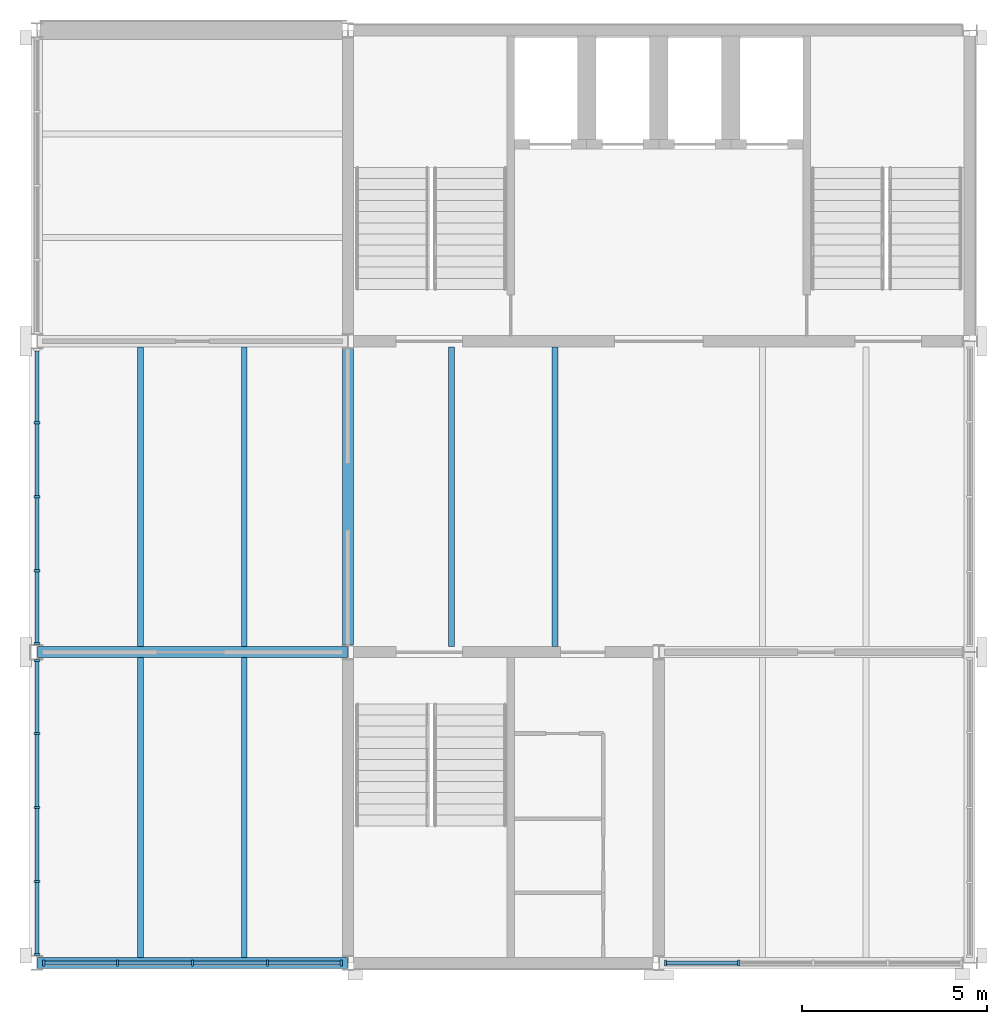
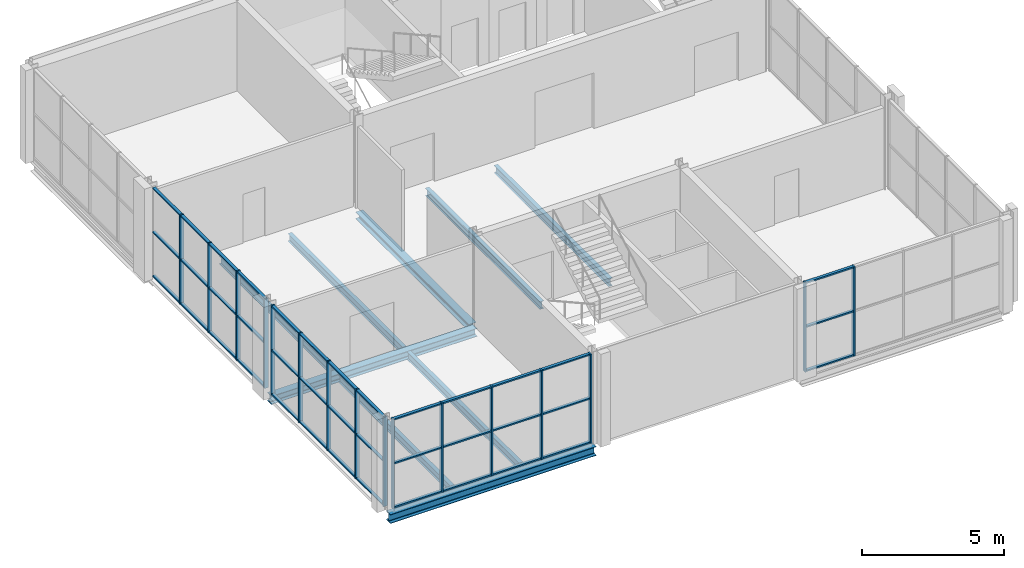
# One storey, part 2 of 8: 55 members, 9 beams, 4 elements without a shape of their own.
"""IFC4 building model written with IfcOpenShell, lengths in metres."""

from ifc_helpers import new_model, si_unit, direction, frame, origin, origin_2d, place, context, subcontext, project, spatial, rectangle, i_section, extrude, material, layer, layer_set, material_profile, profile_set, type_object, element, aggregate, save


model = new_model("IFC4")

# Units and contexts
model_context = context("Model", 3, precision=1e-05, world=origin(), true_north=direction((0.0, 1.0)))
body_context = subcontext(model_context, "Body", "Model", "MODEL_VIEW")
ifc_project = project(units=[si_unit("LENGTHUNIT", "METRE"), si_unit("AREAUNIT", "SQUARE_METRE"), si_unit("VOLUMEUNIT", "CUBIC_METRE"), si_unit("PLANEANGLEUNIT", "RADIAN"), si_unit("MASSUNIT", "GRAM", prefix="KILO")], contexts=[model_context])

# Site, building, storey
site_placement = place(None, origin())
site = spatial("IfcSite", under=ifc_project, at=site_placement, CompositionType="ELEMENT")
building_placement = place(site_placement, origin())
building = spatial("IfcBuilding", under=site, at=building_placement, Name="Galleria Vessillo Department Store", CompositionType="ELEMENT")
storey_placement = place(building_placement, frame((0.0, 0.0, 51.60009765625)))
storey = spatial("IfcBuildingStorey", under=building, at=storey_placement, Name="L11", CompositionType="ELEMENT", Elevation=51.60009765625)

# Curtain wall, members
ifc_material_1 = material(Name="Aluminium and glass curtain wall", Category="aluminium")
ifc_layer = layer(ifc_material_1, 0.159912109375)
ifc_layer_set = layer_set([ifc_layer], Name="Aluminium and glass curtain wall")
curtain_wall_type = type_object("IfcCurtainWallType", Name="Tower curtain wall CW4 2100 module", PredefinedType="NOTDEFINED", material=ifc_layer_set)
curtain_wall_1_placement = place(storey_placement, origin())
curtain_wall_1 = element("IfcCurtainWall", 1, at=curtain_wall_1_placement, inside=storey, type_object=curtain_wall_type, Name="Tower curtain wall CW4 2100 module TW-L11-01", PredefinedType="NOTDEFINED")
ifc_material_2 = material(Name="Aluminium alloy 6063 T6", Category="aluminium")
ifc_material_profile_1 = material_profile(ifc_material_2, rectangle(XDim=0.159912109375, YDim=0.06005859375, at=origin_2d()), Name="AL 60x160")
ifc_profile_set_1 = profile_set([ifc_material_profile_1], Name="Aluminium alloy 6063 T6")
member_type_1 = type_object("IfcMemberType", Name="Aluminium mullion 60 x 160", PredefinedType="MULLION", material=ifc_profile_set_1)
member_1_placement = place(storey_placement, frame((92.39990234375, 38.030029296875, 0.0), z_axis=(0.0, 0.0, 1.0), x_axis=(-1.0, 0.0, 0.0)))
member_1 = element("IfcMember", 2, at=member_1_placement, type_object=member_type_1, Name="CW4 mullion 1", PredefinedType="MULLION", context=body_context, shape_type="SweptSolid", body=[
    extrude(rectangle(XDim=0.159912109375, YDim=0.06005859375, at=origin_2d()), origin(), (0.0, 0.0, 1.0), 3.85009765625),
])
member_2_placement = place(storey_placement, frame((92.39990234375, 40.0, 0.0), z_axis=(0.0, 0.0, 1.0), x_axis=(-1.0, 0.0, 0.0)))
member_2 = element("IfcMember", 3, at=member_2_placement, type_object=member_type_1, Name="CW4 mullion 2", PredefinedType="MULLION", context=body_context, shape_type="SweptSolid", body=[
    extrude(rectangle(XDim=0.159912109375, YDim=0.06005859375, at=origin_2d()), origin(), (0.0, 0.0, 1.0), 3.85009765625),
])
member_3_placement = place(storey_placement, frame((92.39990234375, 42.0, 0.0), z_axis=(0.0, 0.0, 1.0), x_axis=(-1.0, 0.0, 0.0)))
member_3 = element("IfcMember", 4, at=member_3_placement, type_object=member_type_1, Name="CW4 mullion 3", PredefinedType="MULLION", context=body_context, shape_type="SweptSolid", body=[
    extrude(rectangle(XDim=0.159912109375, YDim=0.06005859375, at=origin_2d()), origin(), (0.0, 0.0, 1.0), 3.85009765625),
])
member_4_placement = place(storey_placement, frame((92.39990234375, 44.0, 0.0), z_axis=(0.0, 0.0, 1.0), x_axis=(-1.0, 0.0, 0.0)))
member_4 = element("IfcMember", 5, at=member_4_placement, type_object=member_type_1, Name="CW4 mullion 4", PredefinedType="MULLION", context=body_context, shape_type="SweptSolid", body=[
    extrude(rectangle(XDim=0.159912109375, YDim=0.06005859375, at=origin_2d()), origin(), (0.0, 0.0, 1.0), 3.85009765625),
])
member_5_placement = place(storey_placement, frame((92.39990234375, 45.969970703125, 0.0), z_axis=(0.0, 0.0, 1.0), x_axis=(-1.0, 0.0, 0.0)))
member_5 = element("IfcMember", 6, at=member_5_placement, type_object=member_type_1, Name="CW4 mullion 5", PredefinedType="MULLION", context=body_context, shape_type="SweptSolid", body=[
    extrude(rectangle(XDim=0.159912109375, YDim=0.06005859375, at=origin_2d()), origin(), (0.0, 0.0, 1.0), 3.85009765625),
])

curtain_wall_2_placement = place(storey_placement, origin())
curtain_wall_2 = element("IfcCurtainWall", 7, at=curtain_wall_2_placement, inside=storey, type_object=curtain_wall_type, Name="Tower curtain wall CW4 2100 module TW-L11-02", PredefinedType="NOTDEFINED")
member_6_placement = place(storey_placement, frame((92.39990234375, 46.429931640625, 0.0), z_axis=(0.0, 0.0, 1.0), x_axis=(-1.0, 0.0, 0.0)))
member_6 = element("IfcMember", 8, at=member_6_placement, type_object=member_type_1, Name="CW4 mullion 1", PredefinedType="MULLION", context=body_context, shape_type="SweptSolid", body=[
    extrude(rectangle(XDim=0.159912109375, YDim=0.06005859375, at=origin_2d()), origin(), (0.0, 0.0, 1.0), 3.85009765625),
])
member_7_placement = place(storey_placement, frame((92.39990234375, 48.39990234375, 0.0), z_axis=(0.0, 0.0, 1.0), x_axis=(-1.0, 0.0, 0.0)))
member_7 = element("IfcMember", 9, at=member_7_placement, type_object=member_type_1, Name="CW4 mullion 2", PredefinedType="MULLION", context=body_context, shape_type="SweptSolid", body=[
    extrude(rectangle(XDim=0.159912109375, YDim=0.06005859375, at=origin_2d()), origin(), (0.0, 0.0, 1.0), 3.85009765625),
])
member_8_placement = place(storey_placement, frame((92.39990234375, 50.39990234375, 0.0), z_axis=(0.0, 0.0, 1.0), x_axis=(-1.0, 0.0, 0.0)))
member_8 = element("IfcMember", 10, at=member_8_placement, type_object=member_type_1, Name="CW4 mullion 3", PredefinedType="MULLION", context=body_context, shape_type="SweptSolid", body=[
    extrude(rectangle(XDim=0.159912109375, YDim=0.06005859375, at=origin_2d()), origin(), (0.0, 0.0, 1.0), 3.85009765625),
])
member_9_placement = place(storey_placement, frame((92.39990234375, 52.400146484375, 0.0), z_axis=(0.0, 0.0, 1.0), x_axis=(-1.0, 0.0, 0.0)))
member_9 = element("IfcMember", 11, at=member_9_placement, type_object=member_type_1, Name="CW4 mullion 4", PredefinedType="MULLION", context=body_context, shape_type="SweptSolid", body=[
    extrude(rectangle(XDim=0.159912109375, YDim=0.06005859375, at=origin_2d()), origin(), (0.0, 0.0, 1.0), 3.85009765625),
])

curtain_wall_3_placement = place(storey_placement, origin())
curtain_wall_3 = element("IfcCurtainWall", 12, at=curtain_wall_3_placement, inside=storey, type_object=curtain_wall_type, Name="Tower curtain wall CW4 2100 module TS-L11-01", PredefinedType="NOTDEFINED")
member_10_placement = place(storey_placement, frame((92.579833984375, 37.800048828125, 0.0), z_axis=(0.0, 0.0, 1.0), x_axis=(0.0, 1.0, 0.0)))
member_10 = element("IfcMember", 13, at=member_10_placement, type_object=member_type_1, Name="CW4 mullion 1", PredefinedType="MULLION", context=body_context, shape_type="SweptSolid", body=[
    extrude(rectangle(XDim=0.159912109375, YDim=0.06005859375, at=origin_2d()), origin(), (0.0, 0.0, 1.0), 3.85009765625),
])
member_11_placement = place(storey_placement, frame((94.574951171875, 37.800048828125, 0.0), z_axis=(0.0, 0.0, 1.0), x_axis=(0.0, 1.0, 0.0)))
member_11 = element("IfcMember", 14, at=member_11_placement, type_object=member_type_1, Name="CW4 mullion 2", PredefinedType="MULLION", context=body_context, shape_type="SweptSolid", body=[
    extrude(rectangle(XDim=0.159912109375, YDim=0.06005859375, at=origin_2d()), origin(), (0.0, 0.0, 1.0), 3.85009765625),
])
member_12_placement = place(storey_placement, frame((96.60009765625, 37.800048828125, 0.0), z_axis=(0.0, 0.0, 1.0), x_axis=(0.0, 1.0, 0.0)))
member_12 = element("IfcMember", 15, at=member_12_placement, type_object=member_type_1, Name="CW4 mullion 3", PredefinedType="MULLION", context=body_context, shape_type="SweptSolid", body=[
    extrude(rectangle(XDim=0.159912109375, YDim=0.06005859375, at=origin_2d()), origin(), (0.0, 0.0, 1.0), 3.85009765625),
])
member_13_placement = place(storey_placement, frame((98.625, 37.800048828125, 0.0), z_axis=(0.0, 0.0, 1.0), x_axis=(0.0, 1.0, 0.0)))
member_13 = element("IfcMember", 16, at=member_13_placement, type_object=member_type_1, Name="CW4 mullion 4", PredefinedType="MULLION", context=body_context, shape_type="SweptSolid", body=[
    extrude(rectangle(XDim=0.159912109375, YDim=0.06005859375, at=origin_2d()), origin(), (0.0, 0.0, 1.0), 3.85009765625),
])
member_14_placement = place(storey_placement, frame((100.6201171875, 37.800048828125, 0.0), z_axis=(0.0, 0.0, 1.0), x_axis=(0.0, 1.0, 0.0)))
member_14 = element("IfcMember", 17, at=member_14_placement, type_object=member_type_1, Name="CW4 mullion 5", PredefinedType="MULLION", context=body_context, shape_type="SweptSolid", body=[
    extrude(rectangle(XDim=0.159912109375, YDim=0.06005859375, at=origin_2d()), origin(), (0.0, 0.0, 1.0), 3.85009765625),
])

curtain_wall_4_placement = place(storey_placement, origin())
curtain_wall_4 = element("IfcCurtainWall", 18, at=curtain_wall_4_placement, inside=storey, type_object=curtain_wall_type, Name="Tower curtain wall CW4 2100 module TS-L11-02", PredefinedType="NOTDEFINED")
member_15_placement = place(storey_placement, frame((109.3798828125, 37.800048828125, 0.0), z_axis=(0.0, 0.0, 1.0), x_axis=(0.0, 1.0, 0.0)))
member_15 = element("IfcMember", 19, at=member_15_placement, type_object=member_type_1, Name="CW4 mullion 1", PredefinedType="MULLION", context=body_context, shape_type="SweptSolid", body=[
    extrude(rectangle(XDim=0.159912109375, YDim=0.06005859375, at=origin_2d()), origin(), (0.0, 0.0, 1.0), 3.85009765625),
])
member_16_placement = place(storey_placement, frame((111.362548828125, 37.800048828125, 0.0), z_axis=(0.0, 0.0, 1.0), x_axis=(0.0, 1.0, 0.0)))
member_16 = element("IfcMember", 20, at=member_16_placement, type_object=member_type_1, Name="CW4 mullion 2", PredefinedType="MULLION", context=body_context, shape_type="SweptSolid", body=[
    extrude(rectangle(XDim=0.159912109375, YDim=0.06005859375, at=origin_2d()), origin(), (0.0, 0.0, 1.0), 3.85009765625),
])

# Member
ifc_material_3 = material(Name="Aluminium alloy 6063 T6", Category="aluminium")
ifc_material_profile_2 = material_profile(ifc_material_3, rectangle(XDim=0.1201171875, YDim=0.06005859375, at=origin_2d()), Name="AL 60x120")
ifc_profile_set_2 = profile_set([ifc_material_profile_2], Name="Aluminium alloy 6063 T6")
member_type_2 = type_object("IfcMemberType", Name="Aluminium transom 60 x 120", PredefinedType="USERDEFINED", material=ifc_profile_set_2)
member_17_placement = place(storey_placement, frame((92.39990234375, 38.06005859375, 0.030029296875), z_axis=(0.0, 1.0, 0.0), x_axis=(-1.0, 0.0, 0.0)))
member_17 = element("IfcMember", 21, at=member_17_placement, type_object=member_type_2, Name="CW4 transom 1.1", ObjectType="TRANSOM", PredefinedType="USERDEFINED", context=body_context, shape_type="SweptSolid", body=[
    extrude(rectangle(XDim=0.1201171875, YDim=0.06005859375, at=origin_2d()), origin(), (0.0, 0.0, 1.0), 1.909912109375),
])

member_18_placement = place(storey_placement, frame((92.39990234375, 38.06005859375, 1.925048828125), z_axis=(0.0, 1.0, 0.0), x_axis=(-1.0, 0.0, 0.0)))
member_18 = element("IfcMember", 22, at=member_18_placement, type_object=member_type_2, Name="CW4 transom 1.2", ObjectType="TRANSOM", PredefinedType="USERDEFINED", context=body_context, shape_type="SweptSolid", body=[
    extrude(rectangle(XDim=0.1201171875, YDim=0.06005859375, at=origin_2d()), origin(), (0.0, 0.0, 1.0), 1.909912109375),
])

member_19_placement = place(storey_placement, frame((92.39990234375, 38.06005859375, 3.820068359375), z_axis=(0.0, 1.0, 0.0), x_axis=(-1.0, 0.0, 0.0)))
member_19 = element("IfcMember", 23, at=member_19_placement, type_object=member_type_2, Name="CW4 transom 1.3", ObjectType="TRANSOM", PredefinedType="USERDEFINED", context=body_context, shape_type="SweptSolid", body=[
    extrude(rectangle(XDim=0.1201171875, YDim=0.06005859375, at=origin_2d()), origin(), (0.0, 0.0, 1.0), 1.909912109375),
])

member_20_placement = place(storey_placement, frame((92.39990234375, 40.030029296875, 0.030029296875), z_axis=(0.0, 1.0, 0.0), x_axis=(-1.0, 0.0, 0.0)))
member_20 = element("IfcMember", 24, at=member_20_placement, type_object=member_type_2, Name="CW4 transom 2.1", ObjectType="TRANSOM", PredefinedType="USERDEFINED", context=body_context, shape_type="SweptSolid", body=[
    extrude(rectangle(XDim=0.1201171875, YDim=0.06005859375, at=origin_2d()), origin(), (0.0, 0.0, 1.0), 1.93994140625),
])

member_21_placement = place(storey_placement, frame((92.39990234375, 40.030029296875, 1.925048828125), z_axis=(0.0, 1.0, 0.0), x_axis=(-1.0, 0.0, 0.0)))
member_21 = element("IfcMember", 25, at=member_21_placement, type_object=member_type_2, Name="CW4 transom 2.2", ObjectType="TRANSOM", PredefinedType="USERDEFINED", context=body_context, shape_type="SweptSolid", body=[
    extrude(rectangle(XDim=0.1201171875, YDim=0.06005859375, at=origin_2d()), origin(), (0.0, 0.0, 1.0), 1.93994140625),
])

member_22_placement = place(storey_placement, frame((92.39990234375, 40.030029296875, 3.820068359375), z_axis=(0.0, 1.0, 0.0), x_axis=(-1.0, 0.0, 0.0)))
member_22 = element("IfcMember", 26, at=member_22_placement, type_object=member_type_2, Name="CW4 transom 2.3", ObjectType="TRANSOM", PredefinedType="USERDEFINED", context=body_context, shape_type="SweptSolid", body=[
    extrude(rectangle(XDim=0.1201171875, YDim=0.06005859375, at=origin_2d()), origin(), (0.0, 0.0, 1.0), 1.93994140625),
])

member_23_placement = place(storey_placement, frame((92.39990234375, 42.030029296875, 0.030029296875), z_axis=(0.0, 1.0, 0.0), x_axis=(-1.0, 0.0, 0.0)))
member_23 = element("IfcMember", 27, at=member_23_placement, type_object=member_type_2, Name="CW4 transom 3.1", ObjectType="TRANSOM", PredefinedType="USERDEFINED", context=body_context, shape_type="SweptSolid", body=[
    extrude(rectangle(XDim=0.1201171875, YDim=0.06005859375, at=origin_2d()), origin(), (0.0, 0.0, 1.0), 1.93994140625),
])

member_24_placement = place(storey_placement, frame((92.39990234375, 42.030029296875, 1.925048828125), z_axis=(0.0, 1.0, 0.0), x_axis=(-1.0, 0.0, 0.0)))
member_24 = element("IfcMember", 28, at=member_24_placement, type_object=member_type_2, Name="CW4 transom 3.2", ObjectType="TRANSOM", PredefinedType="USERDEFINED", context=body_context, shape_type="SweptSolid", body=[
    extrude(rectangle(XDim=0.1201171875, YDim=0.06005859375, at=origin_2d()), origin(), (0.0, 0.0, 1.0), 1.93994140625),
])

member_25_placement = place(storey_placement, frame((92.39990234375, 42.030029296875, 3.820068359375), z_axis=(0.0, 1.0, 0.0), x_axis=(-1.0, 0.0, 0.0)))
member_25 = element("IfcMember", 29, at=member_25_placement, type_object=member_type_2, Name="CW4 transom 3.3", ObjectType="TRANSOM", PredefinedType="USERDEFINED", context=body_context, shape_type="SweptSolid", body=[
    extrude(rectangle(XDim=0.1201171875, YDim=0.06005859375, at=origin_2d()), origin(), (0.0, 0.0, 1.0), 1.93994140625),
])

member_26_placement = place(storey_placement, frame((92.39990234375, 44.030029296875, 0.030029296875), z_axis=(0.0, 1.0, 0.0), x_axis=(-1.0, 0.0, 0.0)))
member_26 = element("IfcMember", 30, at=member_26_placement, type_object=member_type_2, Name="CW4 transom 4.1", ObjectType="TRANSOM", PredefinedType="USERDEFINED", context=body_context, shape_type="SweptSolid", body=[
    extrude(rectangle(XDim=0.1201171875, YDim=0.06005859375, at=origin_2d()), origin(), (0.0, 0.0, 1.0), 1.909912109375),
])

member_27_placement = place(storey_placement, frame((92.39990234375, 44.030029296875, 1.925048828125), z_axis=(0.0, 1.0, 0.0), x_axis=(-1.0, 0.0, 0.0)))
member_27 = element("IfcMember", 31, at=member_27_placement, type_object=member_type_2, Name="CW4 transom 4.2", ObjectType="TRANSOM", PredefinedType="USERDEFINED", context=body_context, shape_type="SweptSolid", body=[
    extrude(rectangle(XDim=0.1201171875, YDim=0.06005859375, at=origin_2d()), origin(), (0.0, 0.0, 1.0), 1.909912109375),
])

member_28_placement = place(storey_placement, frame((92.39990234375, 44.030029296875, 3.820068359375), z_axis=(0.0, 1.0, 0.0), x_axis=(-1.0, 0.0, 0.0)))
member_28 = element("IfcMember", 32, at=member_28_placement, type_object=member_type_2, Name="CW4 transom 4.3", ObjectType="TRANSOM", PredefinedType="USERDEFINED", context=body_context, shape_type="SweptSolid", body=[
    extrude(rectangle(XDim=0.1201171875, YDim=0.06005859375, at=origin_2d()), origin(), (0.0, 0.0, 1.0), 1.909912109375),
])

aggregate(curtain_wall_1, [member_1, member_2, member_3, member_4, member_5, member_17, member_18, member_19, member_20, member_21, member_22, member_23, member_24, member_25, member_26, member_27, member_28])

member_29_placement = place(storey_placement, frame((92.39990234375, 46.4599609375, 0.030029296875), z_axis=(0.0, 1.0, 0.0), x_axis=(-1.0, 0.0, 0.0)))
member_29 = element("IfcMember", 33, at=member_29_placement, type_object=member_type_2, Name="CW4 transom 1.1", ObjectType="TRANSOM", PredefinedType="USERDEFINED", context=body_context, shape_type="SweptSolid", body=[
    extrude(rectangle(XDim=0.1201171875, YDim=0.06005859375, at=origin_2d()), origin(), (0.0, 0.0, 1.0), 1.909912109375),
])

member_30_placement = place(storey_placement, frame((92.39990234375, 46.4599609375, 1.925048828125), z_axis=(0.0, 1.0, 0.0), x_axis=(-1.0, 0.0, 0.0)))
member_30 = element("IfcMember", 34, at=member_30_placement, type_object=member_type_2, Name="CW4 transom 1.2", ObjectType="TRANSOM", PredefinedType="USERDEFINED", context=body_context, shape_type="SweptSolid", body=[
    extrude(rectangle(XDim=0.1201171875, YDim=0.06005859375, at=origin_2d()), origin(), (0.0, 0.0, 1.0), 1.909912109375),
])

member_31_placement = place(storey_placement, frame((92.39990234375, 46.4599609375, 3.820068359375), z_axis=(0.0, 1.0, 0.0), x_axis=(-1.0, 0.0, 0.0)))
member_31 = element("IfcMember", 35, at=member_31_placement, type_object=member_type_2, Name="CW4 transom 1.3", ObjectType="TRANSOM", PredefinedType="USERDEFINED", context=body_context, shape_type="SweptSolid", body=[
    extrude(rectangle(XDim=0.1201171875, YDim=0.06005859375, at=origin_2d()), origin(), (0.0, 0.0, 1.0), 1.909912109375),
])

member_32_placement = place(storey_placement, frame((92.39990234375, 48.429931640625, 0.030029296875), z_axis=(0.0, 1.0, 0.0), x_axis=(-1.0, 0.0, 0.0)))
member_32 = element("IfcMember", 36, at=member_32_placement, type_object=member_type_2, Name="CW4 transom 2.1", ObjectType="TRANSOM", PredefinedType="USERDEFINED", context=body_context, shape_type="SweptSolid", body=[
    extrude(rectangle(XDim=0.1201171875, YDim=0.06005859375, at=origin_2d()), origin(), (0.0, 0.0, 1.0), 1.940185546875),
])

member_33_placement = place(storey_placement, frame((92.39990234375, 48.429931640625, 1.925048828125), z_axis=(0.0, 1.0, 0.0), x_axis=(-1.0, 0.0, 0.0)))
member_33 = element("IfcMember", 37, at=member_33_placement, type_object=member_type_2, Name="CW4 transom 2.2", ObjectType="TRANSOM", PredefinedType="USERDEFINED", context=body_context, shape_type="SweptSolid", body=[
    extrude(rectangle(XDim=0.1201171875, YDim=0.06005859375, at=origin_2d()), origin(), (0.0, 0.0, 1.0), 1.940185546875),
])

member_34_placement = place(storey_placement, frame((92.39990234375, 48.429931640625, 3.820068359375), z_axis=(0.0, 1.0, 0.0), x_axis=(-1.0, 0.0, 0.0)))
member_34 = element("IfcMember", 38, at=member_34_placement, type_object=member_type_2, Name="CW4 transom 2.3", ObjectType="TRANSOM", PredefinedType="USERDEFINED", context=body_context, shape_type="SweptSolid", body=[
    extrude(rectangle(XDim=0.1201171875, YDim=0.06005859375, at=origin_2d()), origin(), (0.0, 0.0, 1.0), 1.940185546875),
])

member_35_placement = place(storey_placement, frame((92.39990234375, 50.429931640625, 0.030029296875), z_axis=(0.0, 1.0, 0.0), x_axis=(-1.0, 0.0, 0.0)))
member_35 = element("IfcMember", 39, at=member_35_placement, type_object=member_type_2, Name="CW4 transom 3.1", ObjectType="TRANSOM", PredefinedType="USERDEFINED", context=body_context, shape_type="SweptSolid", body=[
    extrude(rectangle(XDim=0.1201171875, YDim=0.06005859375, at=origin_2d()), origin(), (0.0, 0.0, 1.0), 1.940185546875),
])

member_36_placement = place(storey_placement, frame((92.39990234375, 50.429931640625, 1.925048828125), z_axis=(0.0, 1.0, 0.0), x_axis=(-1.0, 0.0, 0.0)))
member_36 = element("IfcMember", 40, at=member_36_placement, type_object=member_type_2, Name="CW4 transom 3.2", ObjectType="TRANSOM", PredefinedType="USERDEFINED", context=body_context, shape_type="SweptSolid", body=[
    extrude(rectangle(XDim=0.1201171875, YDim=0.06005859375, at=origin_2d()), origin(), (0.0, 0.0, 1.0), 1.940185546875),
])

member_37_placement = place(storey_placement, frame((92.39990234375, 50.429931640625, 3.820068359375), z_axis=(0.0, 1.0, 0.0), x_axis=(-1.0, 0.0, 0.0)))
member_37 = element("IfcMember", 41, at=member_37_placement, type_object=member_type_2, Name="CW4 transom 3.3", ObjectType="TRANSOM", PredefinedType="USERDEFINED", context=body_context, shape_type="SweptSolid", body=[
    extrude(rectangle(XDim=0.1201171875, YDim=0.06005859375, at=origin_2d()), origin(), (0.0, 0.0, 1.0), 1.940185546875),
])

member_38_placement = place(storey_placement, frame((92.39990234375, 52.43017578125, 0.030029296875), z_axis=(0.0, 1.0, 0.0), x_axis=(-1.0, 0.0, 0.0)))
member_38 = element("IfcMember", 42, at=member_38_placement, type_object=member_type_2, Name="CW4 transom 4.1", ObjectType="TRANSOM", PredefinedType="USERDEFINED", context=body_context, shape_type="SweptSolid", body=[
    extrude(rectangle(XDim=0.1201171875, YDim=0.06005859375, at=origin_2d()), origin(), (0.0, 0.0, 1.0), 1.909912109375),
])

member_39_placement = place(storey_placement, frame((92.39990234375, 52.43017578125, 1.925048828125), z_axis=(0.0, 1.0, 0.0), x_axis=(-1.0, 0.0, 0.0)))
member_39 = element("IfcMember", 43, at=member_39_placement, type_object=member_type_2, Name="CW4 transom 4.2", ObjectType="TRANSOM", PredefinedType="USERDEFINED", context=body_context, shape_type="SweptSolid", body=[
    extrude(rectangle(XDim=0.1201171875, YDim=0.06005859375, at=origin_2d()), origin(), (0.0, 0.0, 1.0), 1.909912109375),
])

member_40_placement = place(storey_placement, frame((92.39990234375, 52.43017578125, 3.820068359375), z_axis=(0.0, 1.0, 0.0), x_axis=(-1.0, 0.0, 0.0)))
member_40 = element("IfcMember", 44, at=member_40_placement, type_object=member_type_2, Name="CW4 transom 4.3", ObjectType="TRANSOM", PredefinedType="USERDEFINED", context=body_context, shape_type="SweptSolid", body=[
    extrude(rectangle(XDim=0.1201171875, YDim=0.06005859375, at=origin_2d()), origin(), (0.0, 0.0, 1.0), 1.909912109375),
])

aggregate(curtain_wall_2, [member_6, member_7, member_8, member_9, member_29, member_30, member_31, member_32, member_33, member_34, member_35, member_36, member_37, member_38, member_39, member_40])

member_41_placement = place(storey_placement, frame((92.60986328125, 37.800048828125, 0.030029296875), z_axis=(1.0, 0.0, 0.0), x_axis=(0.0, 1.0, 0.0)))
member_41 = element("IfcMember", 45, at=member_41_placement, type_object=member_type_2, Name="CW4 transom 1.1", ObjectType="TRANSOM", PredefinedType="USERDEFINED", context=body_context, shape_type="SweptSolid", body=[
    extrude(rectangle(XDim=0.1201171875, YDim=0.06005859375, at=origin_2d()), origin(), (0.0, 0.0, 1.0), 1.93505859375),
])

member_42_placement = place(storey_placement, frame((92.60986328125, 37.800048828125, 1.925048828125), z_axis=(1.0, 0.0, 0.0), x_axis=(0.0, 1.0, 0.0)))
member_42 = element("IfcMember", 46, at=member_42_placement, type_object=member_type_2, Name="CW4 transom 1.2", ObjectType="TRANSOM", PredefinedType="USERDEFINED", context=body_context, shape_type="SweptSolid", body=[
    extrude(rectangle(XDim=0.1201171875, YDim=0.06005859375, at=origin_2d()), origin(), (0.0, 0.0, 1.0), 1.93505859375),
])

member_43_placement = place(storey_placement, frame((92.60986328125, 37.800048828125, 3.820068359375), z_axis=(1.0, 0.0, 0.0), x_axis=(0.0, 1.0, 0.0)))
member_43 = element("IfcMember", 47, at=member_43_placement, type_object=member_type_2, Name="CW4 transom 1.3", ObjectType="TRANSOM", PredefinedType="USERDEFINED", context=body_context, shape_type="SweptSolid", body=[
    extrude(rectangle(XDim=0.1201171875, YDim=0.06005859375, at=origin_2d()), origin(), (0.0, 0.0, 1.0), 1.93505859375),
])

member_44_placement = place(storey_placement, frame((94.60498046875, 37.800048828125, 0.030029296875), z_axis=(1.0, 0.0, 0.0), x_axis=(0.0, 1.0, 0.0)))
member_44 = element("IfcMember", 48, at=member_44_placement, type_object=member_type_2, Name="CW4 transom 2.1", ObjectType="TRANSOM", PredefinedType="USERDEFINED", context=body_context, shape_type="SweptSolid", body=[
    extrude(rectangle(XDim=0.1201171875, YDim=0.06005859375, at=origin_2d()), origin(), (0.0, 0.0, 1.0), 1.965087890625),
])

member_45_placement = place(storey_placement, frame((94.60498046875, 37.800048828125, 1.925048828125), z_axis=(1.0, 0.0, 0.0), x_axis=(0.0, 1.0, 0.0)))
member_45 = element("IfcMember", 49, at=member_45_placement, type_object=member_type_2, Name="CW4 transom 2.2", ObjectType="TRANSOM", PredefinedType="USERDEFINED", context=body_context, shape_type="SweptSolid", body=[
    extrude(rectangle(XDim=0.1201171875, YDim=0.06005859375, at=origin_2d()), origin(), (0.0, 0.0, 1.0), 1.965087890625),
])

member_46_placement = place(storey_placement, frame((94.60498046875, 37.800048828125, 3.820068359375), z_axis=(1.0, 0.0, 0.0), x_axis=(0.0, 1.0, 0.0)))
member_46 = element("IfcMember", 50, at=member_46_placement, type_object=member_type_2, Name="CW4 transom 2.3", ObjectType="TRANSOM", PredefinedType="USERDEFINED", context=body_context, shape_type="SweptSolid", body=[
    extrude(rectangle(XDim=0.1201171875, YDim=0.06005859375, at=origin_2d()), origin(), (0.0, 0.0, 1.0), 1.965087890625),
])

member_47_placement = place(storey_placement, frame((96.6298828125, 37.800048828125, 0.030029296875), z_axis=(1.0, 0.0, 0.0), x_axis=(0.0, 1.0, 0.0)))
member_47 = element("IfcMember", 51, at=member_47_placement, type_object=member_type_2, Name="CW4 transom 3.1", ObjectType="TRANSOM", PredefinedType="USERDEFINED", context=body_context, shape_type="SweptSolid", body=[
    extrude(rectangle(XDim=0.1201171875, YDim=0.06005859375, at=origin_2d()), origin(), (0.0, 0.0, 1.0), 1.965087890625),
])

member_48_placement = place(storey_placement, frame((96.6298828125, 37.800048828125, 1.925048828125), z_axis=(1.0, 0.0, 0.0), x_axis=(0.0, 1.0, 0.0)))
member_48 = element("IfcMember", 52, at=member_48_placement, type_object=member_type_2, Name="CW4 transom 3.2", ObjectType="TRANSOM", PredefinedType="USERDEFINED", context=body_context, shape_type="SweptSolid", body=[
    extrude(rectangle(XDim=0.1201171875, YDim=0.06005859375, at=origin_2d()), origin(), (0.0, 0.0, 1.0), 1.965087890625),
])

member_49_placement = place(storey_placement, frame((96.6298828125, 37.800048828125, 3.820068359375), z_axis=(1.0, 0.0, 0.0), x_axis=(0.0, 1.0, 0.0)))
member_49 = element("IfcMember", 53, at=member_49_placement, type_object=member_type_2, Name="CW4 transom 3.3", ObjectType="TRANSOM", PredefinedType="USERDEFINED", context=body_context, shape_type="SweptSolid", body=[
    extrude(rectangle(XDim=0.1201171875, YDim=0.06005859375, at=origin_2d()), origin(), (0.0, 0.0, 1.0), 1.965087890625),
])

member_50_placement = place(storey_placement, frame((98.655029296875, 37.800048828125, 0.030029296875), z_axis=(1.0, 0.0, 0.0), x_axis=(0.0, 1.0, 0.0)))
member_50 = element("IfcMember", 54, at=member_50_placement, type_object=member_type_2, Name="CW4 transom 4.1", ObjectType="TRANSOM", PredefinedType="USERDEFINED", context=body_context, shape_type="SweptSolid", body=[
    extrude(rectangle(XDim=0.1201171875, YDim=0.06005859375, at=origin_2d()), origin(), (0.0, 0.0, 1.0), 1.93505859375),
])

member_51_placement = place(storey_placement, frame((98.655029296875, 37.800048828125, 1.925048828125), z_axis=(1.0, 0.0, 0.0), x_axis=(0.0, 1.0, 0.0)))
member_51 = element("IfcMember", 55, at=member_51_placement, type_object=member_type_2, Name="CW4 transom 4.2", ObjectType="TRANSOM", PredefinedType="USERDEFINED", context=body_context, shape_type="SweptSolid", body=[
    extrude(rectangle(XDim=0.1201171875, YDim=0.06005859375, at=origin_2d()), origin(), (0.0, 0.0, 1.0), 1.93505859375),
])

member_52_placement = place(storey_placement, frame((98.655029296875, 37.800048828125, 3.820068359375), z_axis=(1.0, 0.0, 0.0), x_axis=(0.0, 1.0, 0.0)))
member_52 = element("IfcMember", 56, at=member_52_placement, type_object=member_type_2, Name="CW4 transom 4.3", ObjectType="TRANSOM", PredefinedType="USERDEFINED", context=body_context, shape_type="SweptSolid", body=[
    extrude(rectangle(XDim=0.1201171875, YDim=0.06005859375, at=origin_2d()), origin(), (0.0, 0.0, 1.0), 1.93505859375),
])

aggregate(curtain_wall_3, [member_10, member_11, member_12, member_13, member_14, member_41, member_42, member_43, member_44, member_45, member_46, member_47, member_48, member_49, member_50, member_51, member_52])

member_53_placement = place(storey_placement, frame((109.409912109375, 37.800048828125, 0.030029296875), z_axis=(1.0, 0.0, 0.0), x_axis=(0.0, 1.0, 0.0)))
member_53 = element("IfcMember", 57, at=member_53_placement, type_object=member_type_2, Name="CW4 transom 1.1", ObjectType="TRANSOM", PredefinedType="USERDEFINED", context=body_context, shape_type="SweptSolid", body=[
    extrude(rectangle(XDim=0.1201171875, YDim=0.06005859375, at=origin_2d()), origin(), (0.0, 0.0, 1.0), 1.922607421875),
])

member_54_placement = place(storey_placement, frame((109.409912109375, 37.800048828125, 1.925048828125), z_axis=(1.0, 0.0, 0.0), x_axis=(0.0, 1.0, 0.0)))
member_54 = element("IfcMember", 58, at=member_54_placement, type_object=member_type_2, Name="CW4 transom 1.2", ObjectType="TRANSOM", PredefinedType="USERDEFINED", context=body_context, shape_type="SweptSolid", body=[
    extrude(rectangle(XDim=0.1201171875, YDim=0.06005859375, at=origin_2d()), origin(), (0.0, 0.0, 1.0), 1.922607421875),
])

member_55_placement = place(storey_placement, frame((109.409912109375, 37.800048828125, 3.820068359375), z_axis=(1.0, 0.0, 0.0), x_axis=(0.0, 1.0, 0.0)))
member_55 = element("IfcMember", 59, at=member_55_placement, type_object=member_type_2, Name="CW4 transom 1.3", ObjectType="TRANSOM", PredefinedType="USERDEFINED", context=body_context, shape_type="SweptSolid", body=[
    extrude(rectangle(XDim=0.1201171875, YDim=0.06005859375, at=origin_2d()), origin(), (0.0, 0.0, 1.0), 1.922607421875),
])

aggregate(curtain_wall_4, [member_15, member_16, member_53, member_54, member_55])

# Beams
ifc_material_4 = material(Name="Steel S355 J2", Category="steel")
ifc_material_profile_3 = material_profile(ifc_material_4, i_section(OverallWidth=0.300048828125, OverallDepth=0.35009765625, WebThickness=0.010009765625, FlangeThickness=0.017578125, FilletRadius=0.027099609375, at=origin_2d()), Name="HEA 360")
ifc_profile_set_3 = profile_set([ifc_material_profile_3], Name="Steel S355 J2")
beam_type_1 = type_object("IfcBeamType", Name="Floor girder HEA 360", PredefinedType="BEAM", material=ifc_profile_set_3)
beam_1_placement = place(storey_placement, frame((92.406982421875, 46.199951171875, -0.324951171875), z_axis=(1.0, 0.0, 0.0), x_axis=(0.0, 1.0, 0.0)))
element("IfcBeam", 60, at=beam_1_placement, inside=storey, type_object=beam_type_1, Name="S-BM-L11-GI-x46200-92407", PredefinedType="BEAM", context=body_context, shape_type="SweptSolid", body=[
    extrude(i_section(OverallWidth=0.300048828125, OverallDepth=0.35009765625, WebThickness=0.010009765625, FlangeThickness=0.017578125, FilletRadius=0.027099609375, at=origin_2d()), origin(), (0.0, 0.0, 1.0), 8.38623046875),
])
ifc_material_5 = material(Name="Steel S355 J2", Category="steel")
ifc_material_profile_4 = material_profile(ifc_material_5, i_section(OverallWidth=0.159912109375, OverallDepth=0.330078125, WebThickness=0.007568359375, FlangeThickness=0.011474609375, FilletRadius=0.01806640625, at=origin_2d()), Name="IPE 330")
ifc_profile_set_4 = profile_set([ifc_material_profile_4], Name="Steel S355 J2")
beam_type_2 = type_object("IfcBeamType", Name="Floor joist IPE 330", PredefinedType="JOIST", material=ifc_profile_set_4)
for number, where, z_axis, x_axis, name in (
    (61, (95.199951171875, 37.9501953125, -0.31494140625), (0.0, 1.0, 0.0), (-1.0, 0.0, 0.0), "S-BM-L11-JO-y95200-37950"),
    (62, (98.0, 37.9501953125, -0.31494140625), (0.0, 1.0, 0.0), (-1.0, 0.0, 0.0), "S-BM-L11-JO-y98000-37950"),
):
    element("IfcBeam", number, at=place(storey_placement, frame(where, z_axis=z_axis, x_axis=x_axis)), inside=storey, type_object=beam_type_2, Name=name, PredefinedType="JOIST", context=body_context, shape_type="SweptSolid", body=[
        extrude(i_section(OverallWidth=0.159912109375, OverallDepth=0.330078125, WebThickness=0.007568359375, FlangeThickness=0.011474609375, FilletRadius=0.01806640625, at=origin_2d()), origin(), (0.0, 0.0, 1.0), 8.099609375),
    ])
for number, where, z_axis, x_axis, name in (
    (63, (95.199951171875, 46.35009765625, -0.31494140625), (0.0, 1.0, 0.0), (-1.0, 0.0, 0.0), "S-BM-L11-JO-y95200-46350"),
    (64, (98.0, 46.35009765625, -0.31494140625), (0.0, 1.0, 0.0), (-1.0, 0.0, 0.0), "S-BM-L11-JO-y98000-46350"),
    (65, (103.60009765625, 46.35009765625, -0.31494140625), (0.0, 1.0, 0.0), (-1.0, 0.0, 0.0), "S-BM-L11-JO-y103600-46350"),
    (66, (106.39990234375, 46.35009765625, -0.31494140625), (0.0, 1.0, 0.0), (-1.0, 0.0, 0.0), "S-BM-L11-JO-y106400-46350"),
):
    element("IfcBeam", number, at=place(storey_placement, frame(where, z_axis=z_axis, x_axis=x_axis)), inside=storey, type_object=beam_type_2, Name=name, PredefinedType="JOIST", context=body_context, shape_type="SweptSolid", body=[
        extrude(i_section(OverallWidth=0.159912109375, OverallDepth=0.330078125, WebThickness=0.007568359375, FlangeThickness=0.011474609375, FilletRadius=0.01806640625, at=origin_2d()), origin(), (0.0, 0.0, 1.0), 8.099853515625),
    ])
ifc_material_6 = material(Name="Steel S355 J2", Category="steel")
ifc_material_profile_5 = material_profile(ifc_material_6, i_section(OverallWidth=0.300048828125, OverallDepth=0.2900390625, WebThickness=0.008544921875, FlangeThickness=0.013916015625, FilletRadius=0.027099609375, at=origin_2d()), Name="HEA 300")
ifc_profile_set_5 = profile_set([ifc_material_profile_5], Name="Steel S355 J2")
beam_type_3 = type_object("IfcBeamType", Name="Floor tie girder HEA 300", PredefinedType="BEAM", material=ifc_profile_set_5)
beam_2_placement = place(storey_placement, frame((100.800048828125, 46.400146484375, -0.294921875), z_axis=(0.0, 1.0, 0.0), x_axis=(-1.0, 0.0, 0.0)))
element("IfcBeam", 67, at=beam_2_placement, inside=storey, type_object=beam_type_3, Name="S-BM-L11-TI-y100800-46400", PredefinedType="BEAM", context=body_context, shape_type="SweptSolid", body=[
    extrude(i_section(OverallWidth=0.300048828125, OverallDepth=0.2900390625, WebThickness=0.008544921875, FlangeThickness=0.013916015625, FilletRadius=0.027099609375, at=origin_2d()), origin(), (0.0, 0.0, 1.0), 7.999755859375),
])
ifc_material_7 = material(Name="Steel S355 J2", Category="steel")
ifc_material_profile_6 = material_profile(ifc_material_7, i_section(OverallWidth=0.300048828125, OverallDepth=0.389892578125, WebThickness=0.010986328125, FlangeThickness=0.01904296875, FilletRadius=0.027099609375, at=origin_2d()), Name="HEA 400")
ifc_profile_set_6 = profile_set([ifc_material_profile_6], Name="Steel S355 J2")
beam_type_4 = type_object("IfcBeamType", Name="Trimmer beam HEA 400", PredefinedType="BEAM", material=ifc_profile_set_6)
beam_3_placement = place(storey_placement, frame((92.406982421875, 37.800048828125, -0.344970703125), z_axis=(1.0, 0.0, 0.0), x_axis=(0.0, 1.0, 0.0)))
element("IfcBeam", 68, at=beam_3_placement, inside=storey, type_object=beam_type_4, Name="S-BM-L11-TR-x37800-92407", PredefinedType="BEAM", context=body_context, shape_type="SweptSolid", body=[
    extrude(i_section(OverallWidth=0.300048828125, OverallDepth=0.389892578125, WebThickness=0.010986328125, FlangeThickness=0.01904296875, FilletRadius=0.027099609375, at=origin_2d()), origin(), (0.0, 0.0, 1.0), 8.38623046875),
])

save(model, "model.ifc")
